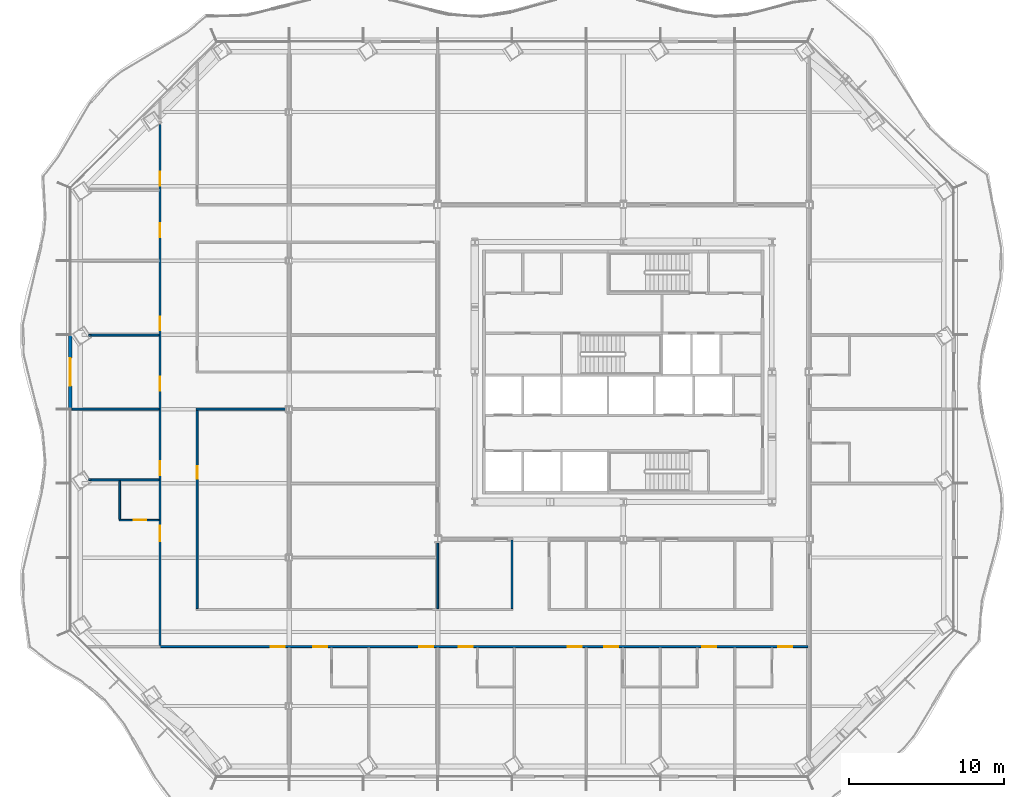
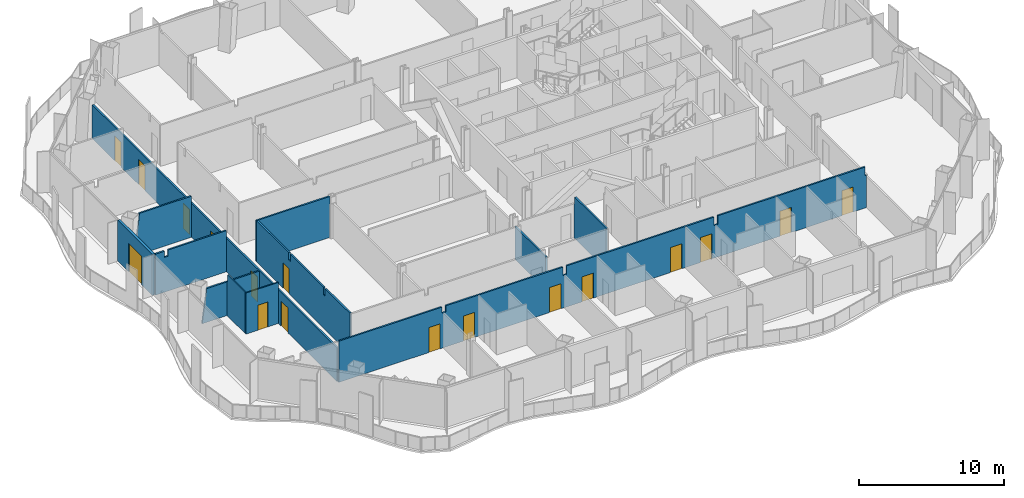
# One storey, part 7 of 20: 17 doors, 12 walls, 17 openings.
"""IFC4 building model written with IfcOpenShell, lengths in metres."""

from ifc_helpers import new_model, si_unit, direction, frame, frame_2d, origin, place, context, subcontext, project, spatial, polyline, rectangle, outline, extrude, material, layer, layer_set, type_object, element, fill, save


model = new_model("IFC4")

# Units and contexts
model_context = context("Model", 3, precision=1e-05, world=origin(), true_north=direction((0.0, 1.0)))
body_context = subcontext(model_context, "Body", "Model", "MODEL_VIEW")
ifc_project = project(units=[si_unit("LENGTHUNIT", "METRE"), si_unit("AREAUNIT", "SQUARE_METRE"), si_unit("VOLUMEUNIT", "CUBIC_METRE"), si_unit("PLANEANGLEUNIT", "RADIAN"), si_unit("MASSUNIT", "GRAM", prefix="KILO")], contexts=[model_context])

# Site, building, storey
site_placement = place(None, origin())
site = spatial("IfcSite", under=ifc_project, at=site_placement, CompositionType="ELEMENT")
building_placement = place(site_placement, origin())
building = spatial("IfcBuilding", under=site, at=building_placement, Name="Cairn Pilgrim Tower", CompositionType="ELEMENT")
storey_placement = place(building_placement, frame((0.0, 0.0, 87.0)))
storey = spatial("IfcBuildingStorey", under=building, at=storey_placement, Name="L20", CompositionType="ELEMENT", Elevation=87.0)

# Wall, opening, door
ifc_material_1 = material(Name="Bronze anodised aluminium insulated sandwich panel with mineral wool fill", Category="aluminium")
ifc_layer_1 = layer(ifc_material_1, 0.199951171875)
ifc_layer_set_1 = layer_set([ifc_layer_1], Name="BRONZE INFILL FRAME WALL 200")
wall_type_1 = type_object("IfcWallType", Name="BRONZE INFILL FRAME WALL 200", PredefinedType="NOTDEFINED", material=ifc_layer_set_1)
wall_1_placement = place(storey_placement, frame((-28.550048828125, 4.77001953125, 0.0), z_axis=(0.0, 0.0, 1.0), x_axis=(0.0, -1.0, 0.0)))
wall_1 = element("IfcWall", 1, at=wall_1_placement, inside=storey, type_object=wall_type_1, Name="Bronze infill frame wall IW-W3", PredefinedType="NOTDEFINED", context=body_context, shape_type="SweptSolid", body=[
    extrude(rectangle(XDim=4.739990234375, YDim=0.199951171875, at=frame_2d((2.3701171875, 0.0))), origin(), (0.0, 0.0, 1.0), 3.449951171875),
])
opening_1_placement = place(wall_1_placement, frame((1.469970703125, 0.0, 0.0)))
opening_1 = element("IfcOpeningElement", 2, at=opening_1_placement, cuts=wall_1, Name="Opening 2011B", PredefinedType="OPENING", context=body_context, shape_type="SweptSolid", body=[
    extrude(rectangle(XDim=1.800048828125, YDim=2.39990234375, at=frame_2d((0.89990234375, 1.199951171875))), frame((0.0, 0.10986328125, 0.0), z_axis=(0.0, -1.0, 0.0), x_axis=(1.0, 0.0, 0.0)), (0.0, 0.0, 1.0), 0.219970703125),
])
ifc_material_2 = material(Name="Bronze anodised aluminium frame with tinted low-E glass", Category="aluminium")
door_type_1 = type_object("IfcDoorType", Name="BALCONY SLIDING DOOR 1800x2400", OperationType="DOUBLE_DOOR_SLIDING", PredefinedType="DOOR", material=ifc_material_2)
door_1_placement = place(opening_1_placement, origin())
door_1 = element("IfcDoor", 3, at=door_1_placement, inside=storey, type_object=door_type_1, Name="Balcony sliding door 2011B", OperationType="SINGLE_SWING_LEFT", OverallHeight=2.39990234375, OverallWidth=1.800048828125, PredefinedType="DOOR", context=body_context, shape_type="SweptSolid", body=[
    extrude(rectangle(XDim=1.800048828125, YDim=2.39990234375, at=frame_2d((0.89990234375, 1.199951171875))), frame((0.0, 0.02490234375, 0.0), z_axis=(0.0, -1.0, 0.0), x_axis=(1.0, 0.0, 0.0)), (0.0, 0.0, 1.0), 0.050048828125),
])
fill(opening_1, door_1)

ifc_material_3 = material(Name="Gypsum partition")
ifc_layer_2 = layer(ifc_material_3, 0.10009765625)
ifc_layer_set_2 = layer_set([ifc_layer_2], Name="PARTITION 100 DRYWALL")
wall_type_2 = type_object("IfcWallType", Name="PARTITION 100 DRYWALL", PredefinedType="PARTITIONING", material=ifc_layer_set_2)
wall_2_placement = place(storey_placement, frame((-25.39990234375, -7.1689453125, 0.0), z_axis=(0.0, 0.0, 1.0), x_axis=(1.0, 0.0, 0.0)))
wall_2 = element("IfcWall", 4, at=wall_2_placement, inside=storey, type_object=wall_type_2, Name="PARTITION W046", PredefinedType="PARTITIONING", context=body_context, shape_type="SweptSolid", body=[
    extrude(rectangle(XDim=2.58740234375, YDim=0.10009765625, at=frame_2d((1.293701171875, 0.0))), origin(), (0.0, 0.0, 1.0), 3.449951171875),
])
opening_2_placement = place(wall_2_placement, frame((0.949951171875, 0.0, 0.0)))
opening_2 = element("IfcOpeningElement", 5, at=opening_2_placement, cuts=wall_2, Name="Opening 2009E", PredefinedType="OPENING", context=body_context, shape_type="SweptSolid", body=[
    extrude(rectangle(XDim=0.800048828125, YDim=2.10009765625, at=frame_2d((0.39990234375, 1.050048828125))), frame((0.0, 0.06005859375, 0.0), z_axis=(0.0, -1.0, 0.0), x_axis=(1.0, 0.0, 0.0)), (0.0, 0.0, 1.0), 0.1201171875),
])
ifc_material_4 = material(Name="Timber door leaf", Category="wood")
door_type_2 = type_object("IfcDoorType", Name="DOOR 800x2100", OperationType="NOTDEFINED", PredefinedType="DOOR", material=ifc_material_4)
door_2_placement = place(opening_2_placement, origin())
door_2 = element("IfcDoor", 6, at=door_2_placement, inside=storey, type_object=door_type_2, Name="DOOR 2009E", OperationType="SINGLE_SWING_RIGHT", OverallHeight=2.10009765625, OverallWidth=0.800048828125, PredefinedType="DOOR", context=body_context, shape_type="SweptSolid", body=[
    extrude(rectangle(XDim=0.800048828125, YDim=2.10009765625, at=frame_2d((0.39990234375, 1.050048828125))), frame((0.0, 0.02490234375, 0.0), z_axis=(0.0, -1.0, 0.0), x_axis=(1.0, 0.0, 0.0)), (0.0, 0.0, 1.0), 0.050048828125),
])
fill(opening_2, door_2)

# Wall
wall_3_placement = place(storey_placement, frame((-25.35009765625, -7.118896484375, 0.0), z_axis=(0.0, 0.0, 1.0), x_axis=(0.0, 1.0, 0.0)))
element("IfcWall", 7, at=wall_3_placement, inside=storey, type_object=wall_type_2, Name="PARTITION W047", PredefinedType="PARTITIONING", context=body_context, shape_type="SweptSolid", body=[
    extrude(outline(polyline([(0.0, 0.0), (2.4873046875, 0.0), (2.487548828125, 2.830078125), (2.422607421875, 2.830078125), (2.420654296875, 3.449951171875), (0.0, 3.449951171875), (0.0, 0.0)])), frame((0.0, 0.050048828125, 0.0), z_axis=(0.0, -1.0, 0.0), x_axis=(1.0, 0.0, 0.0)), (0.0, 0.0, 1.0), 0.10009765625),
])

# Wall, openings, doors
ifc_layer_3 = layer(ifc_material_3, 0.125)
ifc_layer_set_3 = layer_set([ifc_layer_3], Name="PARTITION 125 DRYWALL EI 60")
wall_type_3 = type_object("IfcWallType", Name="PARTITION 125 DRYWALL EI 60", PredefinedType="PARTITIONING", material=ifc_layer_set_3)
wall_4_placement = place(storey_placement, frame((-22.75, -15.35009765625, 0.0), z_axis=(0.0, 0.0, 1.0), x_axis=(1.0, 0.0, 0.0)))
wall_4 = element("IfcWall", 8, at=wall_4_placement, inside=storey, type_object=wall_type_3, Name="PARTITION W025", PredefinedType="PARTITIONING", context=body_context, shape_type="SweptSolid", body=[
    extrude(outline(polyline([(0.0, 0.0), (41.887451171875, 0.0), (41.887451171875, 2.72998046875), (41.800048828125, 2.72998046875), (41.798095703125, 3.449951171875), (30.10009765625, 3.449951171875), (30.097900390625, 2.72998046875), (29.800048828125, 2.72998046875), (29.798095703125, 3.449951171875), (18.10009765625, 3.449951171875), (18.097900390625, 2.72998046875), (17.800048828125, 2.72998046875), (17.798095703125, 3.449951171875), (8.5, 3.449951171875), (8.498046875, 2.929931640625), (8.199951171875, 2.929931640625), (8.197998046875, 3.449951171875), (0.0, 3.449951171875), (0.0, 0.0)])), frame((0.0, 0.0625, 0.0), z_axis=(0.0, -1.0, 0.0), x_axis=(1.0, 0.0, 0.0)), (0.0, 0.0, 1.0), 0.125),
])
opening_3_placement = place(wall_4_placement, frame((7.14990234375, 0.0, 0.0)))
opening_3 = element("IfcOpeningElement", 9, at=opening_3_placement, cuts=wall_4, Name="Opening 2001", PredefinedType="OPENING", context=body_context, shape_type="SweptSolid", body=[
    extrude(rectangle(XDim=0.89990234375, YDim=2.10009765625, at=frame_2d((0.449951171875, 1.050048828125))), frame((0.0, 0.072509765625, 0.0), z_axis=(0.0, -1.0, 0.0), x_axis=(1.0, 0.0, 0.0)), (0.0, 0.0, 1.0), 0.14501953125),
])
opening_4_placement = place(wall_4_placement, frame((9.89697265625, 0.0, 0.0)))
opening_4 = element("IfcOpeningElement", 10, at=opening_4_placement, cuts=wall_4, Name="Opening 2002", PredefinedType="OPENING", context=body_context, shape_type="SweptSolid", body=[
    extrude(rectangle(XDim=0.89990234375, YDim=2.10009765625, at=frame_2d((0.449951171875, 1.050048828125))), frame((0.0, 0.072509765625, 0.0), z_axis=(0.0, -1.0, 0.0), x_axis=(1.0, 0.0, 0.0)), (0.0, 0.0, 1.0), 0.14501953125),
])
opening_5_placement = place(wall_4_placement, frame((16.75, 0.0, 0.0)))
opening_5 = element("IfcOpeningElement", 11, at=opening_5_placement, cuts=wall_4, Name="Opening 2003", PredefinedType="OPENING", context=body_context, shape_type="SweptSolid", body=[
    extrude(rectangle(XDim=0.89990234375, YDim=2.10009765625, at=frame_2d((0.449951171875, 1.050048828125))), frame((0.0, 0.072509765625, 0.0), z_axis=(0.0, -1.0, 0.0), x_axis=(1.0, 0.0, 0.0)), (0.0, 0.0, 1.0), 0.14501953125),
])
opening_6_placement = place(wall_4_placement, frame((19.31005859375, 0.0, 0.0)))
opening_6 = element("IfcOpeningElement", 12, at=opening_6_placement, cuts=wall_4, Name="Opening 2004", PredefinedType="OPENING", context=body_context, shape_type="SweptSolid", body=[
    extrude(rectangle(XDim=0.89990234375, YDim=2.10009765625, at=frame_2d((0.449951171875, 1.050048828125))), frame((0.0, 0.072509765625, 0.0), z_axis=(0.0, -1.0, 0.0), x_axis=(1.0, 0.0, 0.0)), (0.0, 0.0, 1.0), 0.14501953125),
])
opening_7_placement = place(wall_4_placement, frame((26.35009765625, 0.0, 0.0)))
opening_7 = element("IfcOpeningElement", 13, at=opening_7_placement, cuts=wall_4, Name="Opening 2005", PredefinedType="OPENING", context=body_context, shape_type="SweptSolid", body=[
    extrude(rectangle(XDim=0.89990234375, YDim=2.10009765625, at=frame_2d((0.449951171875, 1.050048828125))), frame((0.0, 0.072509765625, 0.0), z_axis=(0.0, -1.0, 0.0), x_axis=(1.0, 0.0, 0.0)), (0.0, 0.0, 1.0), 0.14501953125),
])
opening_8_placement = place(wall_4_placement, frame((28.72412109375, 0.0, 0.0)))
opening_8 = element("IfcOpeningElement", 14, at=opening_8_placement, cuts=wall_4, Name="Opening 2006", PredefinedType="OPENING", context=body_context, shape_type="SweptSolid", body=[
    extrude(rectangle(XDim=0.89990234375, YDim=2.10009765625, at=frame_2d((0.449951171875, 1.050048828125))), frame((0.0, 0.072509765625, 0.0), z_axis=(0.0, -1.0, 0.0), x_axis=(1.0, 0.0, 0.0)), (0.0, 0.0, 1.0), 0.14501953125),
])
opening_9_placement = place(wall_4_placement, frame((35.050048828125, 0.0, 0.0)))
opening_9 = element("IfcOpeningElement", 15, at=opening_9_placement, cuts=wall_4, Name="Opening 2007", PredefinedType="OPENING", context=body_context, shape_type="SweptSolid", body=[
    extrude(rectangle(XDim=0.89990234375, YDim=2.10009765625, at=frame_2d((0.449951171875, 1.050048828125))), frame((0.0, 0.072509765625, 0.0), z_axis=(0.0, -1.0, 0.0), x_axis=(1.0, 0.0, 0.0)), (0.0, 0.0, 1.0), 0.14501953125),
])
opening_10_placement = place(wall_4_placement, frame((39.949951171875, 0.0, 0.0)))
opening_10 = element("IfcOpeningElement", 16, at=opening_10_placement, cuts=wall_4, Name="Opening 2008", PredefinedType="OPENING", context=body_context, shape_type="SweptSolid", body=[
    extrude(rectangle(XDim=0.89990234375, YDim=2.10009765625, at=frame_2d((0.449951171875, 1.050048828125))), frame((0.0, 0.072509765625, 0.0), z_axis=(0.0, -1.0, 0.0), x_axis=(1.0, 0.0, 0.0)), (0.0, 0.0, 1.0), 0.14501953125),
])
ifc_material_5 = material(Name="Steel-faced fire door leaf", Category="steel")
door_type_3 = type_object("IfcDoorType", Name="FIRE DOOR 900x2100 FD30S", OperationType="NOTDEFINED", PredefinedType="DOOR", material=ifc_material_5)
door_3_placement = place(opening_3_placement, frame((0.89990234375, 0.0, 0.0), z_axis=(0.0, 0.0, 1.0), x_axis=(-1.0, 0.0, 0.0)))
door_3 = element("IfcDoor", 17, at=door_3_placement, inside=storey, type_object=door_type_3, Name="DOOR 2001", OperationType="SINGLE_SWING_RIGHT", OverallHeight=2.10009765625, OverallWidth=0.89990234375, PredefinedType="DOOR", context=body_context, shape_type="SweptSolid", body=[
    extrude(rectangle(XDim=0.89990234375, YDim=2.10009765625, at=frame_2d((0.449951171875, 1.050048828125))), frame((0.0, 0.02490234375, 0.0), z_axis=(0.0, -1.0, 0.0), x_axis=(1.0, 0.0, 0.0)), (0.0, 0.0, 1.0), 0.050048828125),
])
fill(opening_3, door_3)
door_4_placement = place(opening_4_placement, frame((0.89990234375, 0.0, 0.0), z_axis=(0.0, 0.0, 1.0), x_axis=(-1.0, 0.0, 0.0)))
door_4 = element("IfcDoor", 18, at=door_4_placement, inside=storey, type_object=door_type_3, Name="DOOR 2002", OperationType="SINGLE_SWING_LEFT", OverallHeight=2.10009765625, OverallWidth=0.89990234375, PredefinedType="DOOR", context=body_context, shape_type="SweptSolid", body=[
    extrude(rectangle(XDim=0.89990234375, YDim=2.10009765625, at=frame_2d((0.449951171875, 1.050048828125))), frame((0.0, 0.02490234375, 0.0), z_axis=(0.0, -1.0, 0.0), x_axis=(1.0, 0.0, 0.0)), (0.0, 0.0, 1.0), 0.050048828125),
])
fill(opening_4, door_4)
door_5_placement = place(opening_5_placement, frame((0.89990234375, 0.0, 0.0), z_axis=(0.0, 0.0, 1.0), x_axis=(-1.0, 0.0, 0.0)))
door_5 = element("IfcDoor", 19, at=door_5_placement, inside=storey, type_object=door_type_3, Name="DOOR 2003", OperationType="SINGLE_SWING_LEFT", OverallHeight=2.10009765625, OverallWidth=0.89990234375, PredefinedType="DOOR", context=body_context, shape_type="SweptSolid", body=[
    extrude(rectangle(XDim=0.89990234375, YDim=2.10009765625, at=frame_2d((0.449951171875, 1.050048828125))), frame((0.0, 0.02490234375, 0.0), z_axis=(0.0, -1.0, 0.0), x_axis=(1.0, 0.0, 0.0)), (0.0, 0.0, 1.0), 0.050048828125),
])
fill(opening_5, door_5)
door_6_placement = place(opening_6_placement, frame((0.89990234375, 0.0, 0.0), z_axis=(0.0, 0.0, 1.0), x_axis=(-1.0, 0.0, 0.0)))
door_6 = element("IfcDoor", 20, at=door_6_placement, inside=storey, type_object=door_type_3, Name="DOOR 2004", OperationType="SINGLE_SWING_RIGHT", OverallHeight=2.10009765625, OverallWidth=0.89990234375, PredefinedType="DOOR", context=body_context, shape_type="SweptSolid", body=[
    extrude(rectangle(XDim=0.89990234375, YDim=2.10009765625, at=frame_2d((0.449951171875, 1.050048828125))), frame((0.0, 0.02490234375, 0.0), z_axis=(0.0, -1.0, 0.0), x_axis=(1.0, 0.0, 0.0)), (0.0, 0.0, 1.0), 0.050048828125),
])
fill(opening_6, door_6)
door_7_placement = place(opening_7_placement, frame((0.89990234375, 0.0, 0.0), z_axis=(0.0, 0.0, 1.0), x_axis=(-1.0, 0.0, 0.0)))
door_7 = element("IfcDoor", 21, at=door_7_placement, inside=storey, type_object=door_type_3, Name="DOOR 2005", OperationType="SINGLE_SWING_RIGHT", OverallHeight=2.10009765625, OverallWidth=0.89990234375, PredefinedType="DOOR", context=body_context, shape_type="SweptSolid", body=[
    extrude(rectangle(XDim=0.89990234375, YDim=2.10009765625, at=frame_2d((0.449951171875, 1.050048828125))), frame((0.0, 0.02490234375, 0.0), z_axis=(0.0, -1.0, 0.0), x_axis=(1.0, 0.0, 0.0)), (0.0, 0.0, 1.0), 0.050048828125),
])
fill(opening_7, door_7)
door_8_placement = place(opening_8_placement, frame((0.89990234375, 0.0, 0.0), z_axis=(0.0, 0.0, 1.0), x_axis=(-1.0, 0.0, 0.0)))
door_8 = element("IfcDoor", 22, at=door_8_placement, inside=storey, type_object=door_type_3, Name="DOOR 2006", OperationType="SINGLE_SWING_LEFT", OverallHeight=2.10009765625, OverallWidth=0.89990234375, PredefinedType="DOOR", context=body_context, shape_type="SweptSolid", body=[
    extrude(rectangle(XDim=0.89990234375, YDim=2.10009765625, at=frame_2d((0.449951171875, 1.050048828125))), frame((0.0, 0.02490234375, 0.0), z_axis=(0.0, -1.0, 0.0), x_axis=(1.0, 0.0, 0.0)), (0.0, 0.0, 1.0), 0.050048828125),
])
fill(opening_8, door_8)
door_9_placement = place(opening_9_placement, frame((0.89990234375, 0.0, 0.0), z_axis=(0.0, 0.0, 1.0), x_axis=(-1.0, 0.0, 0.0)))
door_9 = element("IfcDoor", 23, at=door_9_placement, inside=storey, type_object=door_type_3, Name="DOOR 2007", OperationType="SINGLE_SWING_LEFT", OverallHeight=2.10009765625, OverallWidth=0.89990234375, PredefinedType="DOOR", context=body_context, shape_type="SweptSolid", body=[
    extrude(rectangle(XDim=0.89990234375, YDim=2.10009765625, at=frame_2d((0.449951171875, 1.050048828125))), frame((0.0, 0.02490234375, 0.0), z_axis=(0.0, -1.0, 0.0), x_axis=(1.0, 0.0, 0.0)), (0.0, 0.0, 1.0), 0.050048828125),
])
fill(opening_9, door_9)
door_10_placement = place(opening_10_placement, frame((0.89990234375, 0.0, 0.0), z_axis=(0.0, 0.0, 1.0), x_axis=(-1.0, 0.0, 0.0)))
door_10 = element("IfcDoor", 24, at=door_10_placement, inside=storey, type_object=door_type_3, Name="DOOR 2008", OperationType="SINGLE_SWING_LEFT", OverallHeight=2.10009765625, OverallWidth=0.89990234375, PredefinedType="DOOR", context=body_context, shape_type="SweptSolid", body=[
    extrude(rectangle(XDim=0.89990234375, YDim=2.10009765625, at=frame_2d((0.449951171875, 1.050048828125))), frame((0.0, 0.02490234375, 0.0), z_axis=(0.0, -1.0, 0.0), x_axis=(1.0, 0.0, 0.0)), (0.0, 0.0, 1.0), 0.050048828125),
])
fill(opening_10, door_10)

wall_5_placement = place(storey_placement, frame((-22.75, -15.28759765625, 0.0), z_axis=(0.0, 0.0, 1.0), x_axis=(0.0, 1.0, 0.0)))
wall_5 = element("IfcWall", 25, at=wall_5_placement, inside=storey, type_object=wall_type_3, Name="PARTITION W026", PredefinedType="PARTITIONING", context=body_context, shape_type="SweptSolid", body=[
    extrude(outline(polyline([(0.0, 0.0), (33.677734375, 0.0), (33.677734375, 0.862548828125), (33.677734375, 1.72509765625), (33.677734375, 2.58740234375), (33.677734375, 2.830078125), (0.0, 2.830078125), (0.0, 2.58740234375), (0.0, 1.72509765625), (0.0, 0.862548828125), (0.0, 0.0)])), frame((0.0, 0.0625, 0.0), z_axis=(0.0, -1.0, 0.0), x_axis=(1.0, 0.0, 0.0)), (0.0, 0.0, 1.0), 0.125),
])
opening_11_placement = place(wall_5_placement, frame((6.737548828125, 0.0, 0.0)))
opening_11 = element("IfcOpeningElement", 26, at=opening_11_placement, cuts=wall_5, Name="Opening 2009", PredefinedType="OPENING", context=body_context, shape_type="SweptSolid", body=[
    extrude(rectangle(XDim=1.0, YDim=2.10009765625, at=frame_2d((0.5, 1.050048828125))), frame((0.0, 0.072509765625, 0.0), z_axis=(0.0, -1.0, 0.0), x_axis=(1.0, 0.0, 0.0)), (0.0, 0.0, 1.0), 0.14501953125),
])
opening_12_placement = place(wall_5_placement, frame((11.0185546875, 0.0, 0.0)))
opening_12 = element("IfcOpeningElement", 27, at=opening_12_placement, cuts=wall_5, Name="Opening 2010", PredefinedType="OPENING", context=body_context, shape_type="SweptSolid", body=[
    extrude(rectangle(XDim=0.89990234375, YDim=2.10009765625, at=frame_2d((0.449951171875, 1.050048828125))), frame((0.0, 0.072509765625, 0.0), z_axis=(0.0, -1.0, 0.0), x_axis=(1.0, 0.0, 0.0)), (0.0, 0.0, 1.0), 0.14501953125),
])
opening_13_placement = place(wall_5_placement, frame((16.487548828125, 0.0, 0.0)))
opening_13 = element("IfcOpeningElement", 28, at=opening_13_placement, cuts=wall_5, Name="Opening 2011", PredefinedType="OPENING", context=body_context, shape_type="SweptSolid", body=[
    extrude(rectangle(XDim=0.89990234375, YDim=2.10009765625, at=frame_2d((0.449951171875, 1.050048828125))), frame((0.0, 0.072509765625, 0.0), z_axis=(0.0, -1.0, 0.0), x_axis=(1.0, 0.0, 0.0)), (0.0, 0.0, 1.0), 0.14501953125),
])
opening_14_placement = place(wall_5_placement, frame((20.37060546875, 0.0, 0.0)))
opening_14 = element("IfcOpeningElement", 29, at=opening_14_placement, cuts=wall_5, Name="Opening 2012", PredefinedType="OPENING", context=body_context, shape_type="SweptSolid", body=[
    extrude(rectangle(XDim=0.89990234375, YDim=2.10009765625, at=frame_2d((0.449951171875, 1.050048828125))), frame((0.0, 0.072509765625, 0.0), z_axis=(0.0, -1.0, 0.0), x_axis=(1.0, 0.0, 0.0)), (0.0, 0.0, 1.0), 0.14501953125),
])
opening_15_placement = place(wall_5_placement, frame((26.387451171875, 0.0, 0.0)))
opening_15 = element("IfcOpeningElement", 30, at=opening_15_placement, cuts=wall_5, Name="Opening 2013", PredefinedType="OPENING", context=body_context, shape_type="SweptSolid", body=[
    extrude(rectangle(XDim=0.89990234375, YDim=2.10009765625, at=frame_2d((0.449951171875, 1.050048828125))), frame((0.0, 0.072509765625, 0.0), z_axis=(0.0, -1.0, 0.0), x_axis=(1.0, 0.0, 0.0)), (0.0, 0.0, 1.0), 0.14501953125),
])
opening_16_placement = place(wall_5_placement, frame((29.721435546875, 0.0, 0.0)))
opening_16 = element("IfcOpeningElement", 31, at=opening_16_placement, cuts=wall_5, Name="Opening 2014", PredefinedType="OPENING", context=body_context, shape_type="SweptSolid", body=[
    extrude(rectangle(XDim=0.89990234375, YDim=2.10009765625, at=frame_2d((0.449951171875, 1.050048828125))), frame((0.0, 0.072509765625, 0.0), z_axis=(0.0, -1.0, 0.0), x_axis=(1.0, 0.0, 0.0)), (0.0, 0.0, 1.0), 0.14501953125),
])
door_type_4 = type_object("IfcDoorType", Name="ACCESSIBLE DOOR 1000x2100 FD30S", OperationType="NOTDEFINED", PredefinedType="DOOR", material=ifc_material_4)
door_11_placement = place(opening_11_placement, origin())
door_11 = element("IfcDoor", 32, at=door_11_placement, inside=storey, type_object=door_type_4, Name="DOOR 2009", OperationType="SINGLE_SWING_LEFT", OverallHeight=2.10009765625, OverallWidth=1.0, PredefinedType="DOOR", context=body_context, shape_type="SweptSolid", body=[
    extrude(rectangle(XDim=1.0, YDim=2.10009765625, at=frame_2d((0.5, 1.050048828125))), frame((0.0, 0.02490234375, 0.0), z_axis=(0.0, -1.0, 0.0), x_axis=(1.0, 0.0, 0.0)), (0.0, 0.0, 1.0), 0.050048828125),
])
fill(opening_11, door_11)
door_12_placement = place(opening_12_placement, origin())
door_12 = element("IfcDoor", 33, at=door_12_placement, inside=storey, type_object=door_type_3, Name="DOOR 2010", OperationType="SINGLE_SWING_LEFT", OverallHeight=2.10009765625, OverallWidth=0.89990234375, PredefinedType="DOOR", context=body_context, shape_type="SweptSolid", body=[
    extrude(rectangle(XDim=0.89990234375, YDim=2.10009765625, at=frame_2d((0.449951171875, 1.050048828125))), frame((0.0, 0.02490234375, 0.0), z_axis=(0.0, -1.0, 0.0), x_axis=(1.0, 0.0, 0.0)), (0.0, 0.0, 1.0), 0.050048828125),
])
fill(opening_12, door_12)
door_13_placement = place(opening_13_placement, origin())
door_13 = element("IfcDoor", 34, at=door_13_placement, inside=storey, type_object=door_type_3, Name="DOOR 2011", OperationType="SINGLE_SWING_RIGHT", OverallHeight=2.10009765625, OverallWidth=0.89990234375, PredefinedType="DOOR", context=body_context, shape_type="SweptSolid", body=[
    extrude(rectangle(XDim=0.89990234375, YDim=2.10009765625, at=frame_2d((0.449951171875, 1.050048828125))), frame((0.0, 0.02490234375, 0.0), z_axis=(0.0, -1.0, 0.0), x_axis=(1.0, 0.0, 0.0)), (0.0, 0.0, 1.0), 0.050048828125),
])
fill(opening_13, door_13)
door_14_placement = place(opening_14_placement, origin())
door_14 = element("IfcDoor", 35, at=door_14_placement, inside=storey, type_object=door_type_3, Name="DOOR 2012", OperationType="SINGLE_SWING_LEFT", OverallHeight=2.10009765625, OverallWidth=0.89990234375, PredefinedType="DOOR", context=body_context, shape_type="SweptSolid", body=[
    extrude(rectangle(XDim=0.89990234375, YDim=2.10009765625, at=frame_2d((0.449951171875, 1.050048828125))), frame((0.0, 0.02490234375, 0.0), z_axis=(0.0, -1.0, 0.0), x_axis=(1.0, 0.0, 0.0)), (0.0, 0.0, 1.0), 0.050048828125),
])
fill(opening_14, door_14)
door_15_placement = place(opening_15_placement, origin())
door_15 = element("IfcDoor", 36, at=door_15_placement, inside=storey, type_object=door_type_3, Name="DOOR 2013", OperationType="SINGLE_SWING_RIGHT", OverallHeight=2.10009765625, OverallWidth=0.89990234375, PredefinedType="DOOR", context=body_context, shape_type="SweptSolid", body=[
    extrude(rectangle(XDim=0.89990234375, YDim=2.10009765625, at=frame_2d((0.449951171875, 1.050048828125))), frame((0.0, 0.02490234375, 0.0), z_axis=(0.0, -1.0, 0.0), x_axis=(1.0, 0.0, 0.0)), (0.0, 0.0, 1.0), 0.050048828125),
])
fill(opening_15, door_15)
door_16_placement = place(opening_16_placement, origin())
door_16 = element("IfcDoor", 37, at=door_16_placement, inside=storey, type_object=door_type_3, Name="DOOR 2014", OperationType="SINGLE_SWING_LEFT", OverallHeight=2.10009765625, OverallWidth=0.89990234375, PredefinedType="DOOR", context=body_context, shape_type="SweptSolid", body=[
    extrude(rectangle(XDim=0.89990234375, YDim=2.10009765625, at=frame_2d((0.449951171875, 1.050048828125))), frame((0.0, 0.02490234375, 0.0), z_axis=(0.0, -1.0, 0.0), x_axis=(1.0, 0.0, 0.0)), (0.0, 0.0, 1.0), 0.050048828125),
])
fill(opening_16, door_16)

# Wall, opening, door
wall_6_placement = place(storey_placement, frame((-20.35009765625, -12.887451171875, 0.0), z_axis=(0.0, 0.0, 1.0), x_axis=(0.0, 1.0, 0.0)))
wall_6 = element("IfcWall", 38, at=wall_6_placement, inside=storey, type_object=wall_type_3, Name="PARTITION W030", PredefinedType="PARTITIONING", context=body_context, shape_type="SweptSolid", body=[
    extrude(outline(polyline([(0.0, 0.0), (12.824951171875, 0.0), (12.824951171875, 3.449951171875), (8.4111328125, 3.449951171875), (8.4091796875, 2.830078125), (8.191162109375, 2.830078125), (8.189208984375, 3.449951171875), (3.611083984375, 3.449951171875), (3.609130859375, 2.830078125), (3.39111328125, 2.830078125), (3.38916015625, 3.449951171875), (0.0, 3.449951171875), (0.0, 0.0)])), frame((0.0, 0.0625, 0.0), z_axis=(0.0, -1.0, 0.0), x_axis=(1.0, 0.0, 0.0)), (0.0, 0.0, 1.0), 0.125),
])
opening_17_placement = place(wall_6_placement, frame((8.387451171875, 0.0, 0.0)))
opening_17 = element("IfcOpeningElement", 39, at=opening_17_placement, cuts=wall_6, Name="Opening 2029", PredefinedType="OPENING", context=body_context, shape_type="SweptSolid", body=[
    extrude(rectangle(XDim=0.800048828125, YDim=2.10009765625, at=frame_2d((0.39990234375, 1.050048828125))), frame((0.0, 0.072509765625, 0.0), z_axis=(0.0, -1.0, 0.0), x_axis=(1.0, 0.0, 0.0)), (0.0, 0.0, 1.0), 0.14501953125),
])
door_type_5 = type_object("IfcDoorType", Name="FIRE DOOR 800x2100 FD30S", OperationType="NOTDEFINED", PredefinedType="DOOR", material=ifc_material_5)
door_17_placement = place(opening_17_placement, frame((0.800048828125, 0.0, 0.0), z_axis=(0.0, 0.0, 1.0), x_axis=(-1.0, 0.0, 0.0)))
door_17 = element("IfcDoor", 40, at=door_17_placement, inside=storey, type_object=door_type_5, Name="DOOR 2029", OperationType="SINGLE_SWING_RIGHT", OverallHeight=2.10009765625, OverallWidth=0.800048828125, PredefinedType="DOOR", context=body_context, shape_type="SweptSolid", body=[
    extrude(rectangle(XDim=0.800048828125, YDim=2.10009765625, at=frame_2d((0.39990234375, 1.050048828125))), frame((0.0, 0.02490234375, 0.0), z_axis=(0.0, -1.0, 0.0), x_axis=(1.0, 0.0, 0.0)), (0.0, 0.0, 1.0), 0.050048828125),
])
fill(opening_17, door_17)

# Walls
wall_7_placement = place(storey_placement, frame((-4.800048828125, -12.887451171875, 0.0), z_axis=(0.0, 0.0, 1.0), x_axis=(0.0, 1.0, 0.0)))
element("IfcWall", 41, at=wall_7_placement, inside=storey, type_object=wall_type_3, Name="PARTITION W032", PredefinedType="PARTITIONING", context=body_context, shape_type="SweptSolid", body=[
    extrude(rectangle(XDim=4.25048828125, YDim=0.125, at=frame_2d((2.125244140625, 0.0))), origin(), (0.0, 0.0, 1.0), 2.72998046875),
])
wall_8_placement = place(storey_placement, frame((0.0, -12.887451171875, 0.0), z_axis=(0.0, 0.0, 1.0), x_axis=(0.0, 1.0, 0.0)))
element("IfcWall", 42, at=wall_8_placement, inside=storey, type_object=wall_type_3, Name="PARTITION W033", PredefinedType="PARTITIONING", context=body_context, shape_type="SweptSolid", body=[
    extrude(outline(polyline([(0.0, 0.0), (4.425048828125, 0.0), (4.425048828125, 2.830078125), (4.33740234375, 2.830078125), (4.33544921875, 3.449951171875), (0.0, 3.449951171875), (0.0, 0.0)])), frame((0.0, 0.0625, 0.0), z_axis=(0.0, -1.0, 0.0), x_axis=(1.0, 0.0, 0.0)), (0.0, 0.0, 1.0), 0.125),
])
wall_9_placement = place(storey_placement, frame((-27.3662109375, -4.569091796875, 0.0), z_axis=(0.0, 0.0, 1.0), x_axis=(1.0, 0.0, 0.0)))
element("IfcWall", 43, at=wall_9_placement, inside=storey, type_object=wall_type_3, Name="PARTITION W051", PredefinedType="PARTITIONING", context=body_context, shape_type="SweptSolid", body=[
    extrude(outline(polyline([(0.0, 0.0), (4.5537109375, 0.0), (4.5537109375, 0.862548828125), (4.5537109375, 1.72509765625), (4.5537109375, 2.58740234375), (4.5537109375, 2.830078125), (0.355224609375, 2.830078125), (0.332763671875, 2.58740234375), (0.2216796875, 1.72509765625), (0.11083984375, 0.862548828125), (0.0, 0.0)])), frame((0.0, 0.0625, 0.0), z_axis=(0.0, -1.0, 0.0), x_axis=(1.0, 0.0, 0.0)), (0.0, 0.0, 1.0), 0.125),
])
wall_10_placement = place(storey_placement, frame((-28.449951171875, 0.0, 0.0), z_axis=(0.0, 0.0, 1.0), x_axis=(1.0, 0.0, 0.0)))
element("IfcWall", 44, at=wall_10_placement, inside=storey, type_object=wall_type_3, Name="PARTITION W053", PredefinedType="PARTITIONING", context=body_context, shape_type="SweptSolid", body=[
    extrude(outline(polyline([(0.0, 0.0), (5.637451171875, 0.0), (5.637451171875, 3.449951171875), (1.0205078125, 3.449951171875), (1.0185546875, 2.929931640625), (0.720458984375, 2.929931640625), (0.718505859375, 3.449951171875), (0.0, 3.449951171875), (0.0, 0.0)])), frame((0.0, 0.0625, 0.0), z_axis=(0.0, -1.0, 0.0), x_axis=(1.0, 0.0, 0.0)), (0.0, 0.0, 1.0), 0.125),
])
wall_11_placement = place(storey_placement, frame((-20.41259765625, 0.0, 0.0), z_axis=(0.0, 0.0, 1.0), x_axis=(1.0, 0.0, 0.0)))
element("IfcWall", 45, at=wall_11_placement, inside=storey, type_object=wall_type_3, Name="PARTITION W054", PredefinedType="PARTITIONING", context=body_context, shape_type="SweptSolid", body=[
    extrude(rectangle(XDim=5.80810546875, YDim=0.125, at=frame_2d((2.904052734375, 0.0))), origin(), (0.0, 0.0, 1.0), 3.449951171875),
])
wall_12_placement = place(storey_placement, frame((-27.36669921875, 4.782958984375, 0.0), z_axis=(0.0, 0.0, 1.0), x_axis=(1.0, 0.0, 0.0)))
element("IfcWall", 46, at=wall_12_placement, inside=storey, type_object=wall_type_3, Name="PARTITION W064", PredefinedType="PARTITIONING", context=body_context, shape_type="SweptSolid", body=[
    extrude(outline(polyline([(0.0, 0.0), (4.55419921875, 0.0), (4.55419921875, 0.862548828125), (4.55419921875, 1.72509765625), (4.55419921875, 2.58740234375), (4.55419921875, 3.449951171875), (0.413330078125, 3.449951171875), (0.332763671875, 2.58740234375), (0.2216796875, 1.72509765625), (0.11083984375, 0.862548828125), (0.0, 0.0)])), frame((0.0, 0.0625, 0.0), z_axis=(0.0, -1.0, 0.0), x_axis=(1.0, 0.0, 0.0)), (0.0, 0.0, 1.0), 0.125),
])

save(model, "model.ifc")
